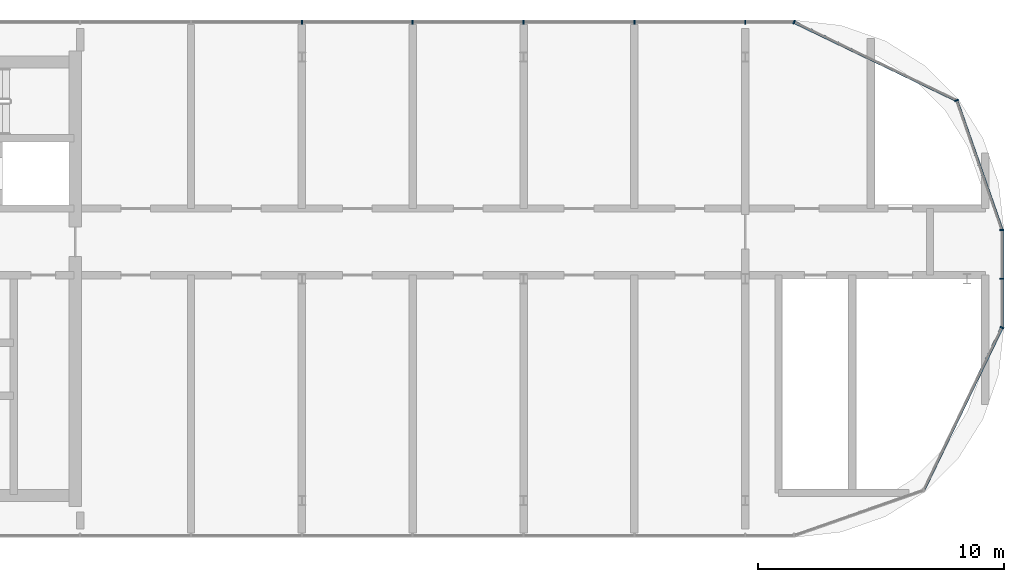
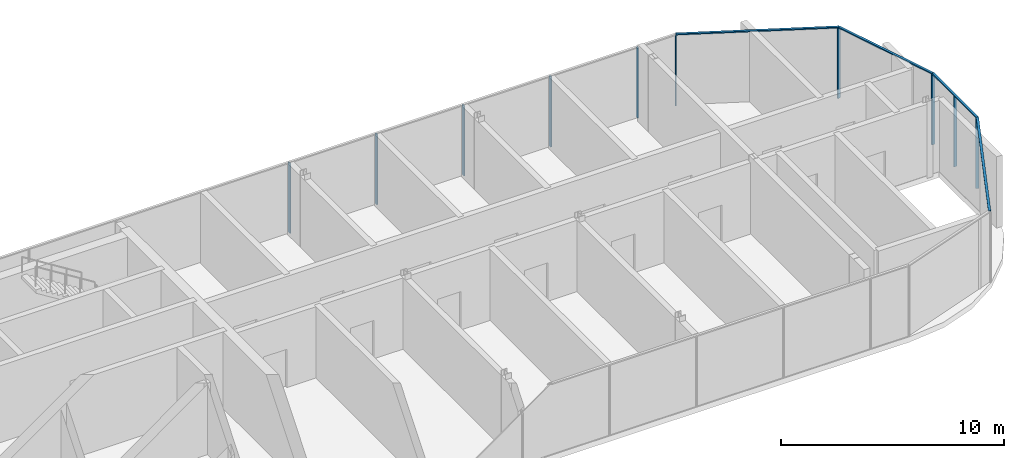
# One storey, part 9 of 14: 14 members, 5 elements without a shape of their own.
"""IFC4 building model written with IfcOpenShell, lengths in metres."""

from ifc_helpers import new_model, si_unit, direction, frame, origin, origin_2d, place, context, subcontext, project, spatial, rectangle, extrude, material, material_profile, profile_set, type_object, element, aggregate, save


model = new_model("IFC4")

# Units and contexts
model_context = context("Model", 3, precision=1e-05, world=origin(), true_north=direction((0.0, 1.0)))
body_context = subcontext(model_context, "Body", "Model", "MODEL_VIEW")
ifc_project = project(units=[si_unit("LENGTHUNIT", "METRE"), si_unit("AREAUNIT", "SQUARE_METRE"), si_unit("VOLUMEUNIT", "CUBIC_METRE"), si_unit("PLANEANGLEUNIT", "RADIAN"), si_unit("MASSUNIT", "GRAM", prefix="KILO")], contexts=[model_context])

# Site, building, storey
site_placement = place(None, origin())
site = spatial("IfcSite", under=ifc_project, at=site_placement, CompositionType="ELEMENT")
building_placement = place(site_placement, origin())
building = spatial("IfcBuilding", under=site, at=building_placement, Name="Ogive Portal Towers", CompositionType="ELEMENT")
storey_placement = place(building_placement, frame((0.0, 0.0, 277.10009765625)))
storey = spatial("IfcBuildingStorey", under=building, at=storey_placement, Name="L67", CompositionType="ELEMENT", Elevation=277.10009765625)

# Curtain wall, member
ifc_material_1 = material(Name="Glass, clear low-iron insulated glazing", Category="glass")
curtain_wall_type = type_object("IfcCurtainWallType", Name="CW CROWN GLAZING", PredefinedType="NOTDEFINED", material=ifc_material_1)
curtain_wall_1_placement = place(storey_placement, origin())
curtain_wall_1 = element("IfcCurtainWall", 1, at=curtain_wall_1_placement, inside=storey, type_object=curtain_wall_type, Name="A:L67:c08:cw", PredefinedType="NOTDEFINED")
ifc_material_2 = material(Name="Aluminium 6063 anodised", Category="aluminium")
ifc_material_profile_1 = material_profile(ifc_material_2, rectangle(XDim=0.159912109375, YDim=0.06005859375, at=origin_2d()), Name="AL 60x160")
ifc_profile_set_1 = profile_set([ifc_material_profile_1], Name="Aluminium 6063 anodised")
member_type_1 = type_object("IfcMemberType", Name="CW MULLION 60x160", PredefinedType="MULLION", material=ifc_profile_set_1)
member_1_placement = place(storey_placement, frame((95.919921875, 28.518310546875, 0.0), z_axis=(0.0, 0.0, 1.0), x_axis=(-0.900968867905, 0.433883739113, 0.0)))
member_1 = element("IfcMember", 2, at=member_1_placement, type_object=member_type_1, Name="mullion", PredefinedType="MULLION", context=body_context, shape_type="SweptSolid", body=[
    extrude(rectangle(XDim=0.159912109375, YDim=0.06005859375, at=origin_2d()), origin(), (0.0, 0.0, 1.0), 3.83984375),
])

# Curtain wall, members
curtain_wall_2_placement = place(storey_placement, origin())
curtain_wall_2 = element("IfcCurtainWall", 3, at=curtain_wall_2_placement, inside=storey, type_object=curtain_wall_type, Name="A:L67:c09:cw", PredefinedType="NOTDEFINED")
member_2_placement = place(storey_placement, frame((95.919921875, 30.5, 0.0), z_axis=(0.0, 0.0, 1.0), x_axis=(-1.0, 0.0, 0.0)))
member_2 = element("IfcMember", 4, at=member_2_placement, type_object=member_type_1, Name="mullion", PredefinedType="MULLION", context=body_context, shape_type="SweptSolid", body=[
    extrude(rectangle(XDim=0.159912109375, YDim=0.06005859375, at=origin_2d()), origin(), (0.0, 0.0, 1.0), 3.83984375),
])
member_3_placement = place(storey_placement, frame((95.919921875, 32.486328125, 0.0), z_axis=(0.0, 0.0, 1.0), x_axis=(-1.0, 0.0, 0.0)))
member_3 = element("IfcMember", 5, at=member_3_placement, type_object=member_type_1, Name="mullion", PredefinedType="MULLION", context=body_context, shape_type="SweptSolid", body=[
    extrude(rectangle(XDim=0.159912109375, YDim=0.06005859375, at=origin_2d()), origin(), (0.0, 0.0, 1.0), 3.83984375),
])

# Curtain wall, member
curtain_wall_3_placement = place(storey_placement, origin())
curtain_wall_3 = element("IfcCurtainWall", 6, at=curtain_wall_3_placement, inside=storey, type_object=curtain_wall_type, Name="A:L67:c10:cw", PredefinedType="NOTDEFINED")
member_4_placement = place(storey_placement, frame((94.0810546875, 37.741943359375, 0.0), z_axis=(0.0, 0.0, 1.0), x_axis=(-0.943883330307, -0.33027906196, 0.0)))
member_4 = element("IfcMember", 7, at=member_4_placement, type_object=member_type_1, Name="mullion", PredefinedType="MULLION", context=body_context, shape_type="SweptSolid", body=[
    extrude(rectangle(XDim=0.159912109375, YDim=0.06005859375, at=origin_2d()), origin(), (0.0, 0.0, 1.0), 3.83984375),
])

curtain_wall_4_placement = place(storey_placement, origin())
curtain_wall_4 = element("IfcCurtainWall", 8, at=curtain_wall_4_placement, inside=storey, type_object=curtain_wall_type, Name="A:L67:c11:cw", PredefinedType="NOTDEFINED")
member_5_placement = place(storey_placement, frame((87.481689453125, 40.919921875, 0.0), z_axis=(0.0, 0.0, 1.0), x_axis=(-0.433883739113, -0.900968867905, 0.0)))
member_5 = element("IfcMember", 9, at=member_5_placement, type_object=member_type_1, Name="mullion", PredefinedType="MULLION", context=body_context, shape_type="SweptSolid", body=[
    extrude(rectangle(XDim=0.159912109375, YDim=0.06005859375, at=origin_2d()), origin(), (0.0, 0.0, 1.0), 3.83984375),
])

# Curtain wall, members
curtain_wall_5_placement = place(storey_placement, origin())
curtain_wall_5 = element("IfcCurtainWall", 10, at=curtain_wall_5_placement, inside=storey, type_object=curtain_wall_type, Name="A:L67:c12:cw", PredefinedType="NOTDEFINED")
member_6_placement = place(storey_placement, frame((85.5, 40.919921875, 0.0), z_axis=(0.0, 0.0, 1.0), x_axis=(0.0, -1.0, 0.0)))
member_6 = element("IfcMember", 11, at=member_6_placement, type_object=member_type_1, Name="mullion", PredefinedType="MULLION", context=body_context, shape_type="SweptSolid", body=[
    extrude(rectangle(XDim=0.159912109375, YDim=0.06005859375, at=origin_2d()), origin(), (0.0, 0.0, 1.0), 3.83984375),
])
member_7_placement = place(storey_placement, frame((81.0, 40.919921875, 0.0), z_axis=(0.0, 0.0, 1.0), x_axis=(0.0, -1.0, 0.0)))
member_7 = element("IfcMember", 12, at=member_7_placement, type_object=member_type_1, Name="mullion", PredefinedType="MULLION", context=body_context, shape_type="SweptSolid", body=[
    extrude(rectangle(XDim=0.159912109375, YDim=0.06005859375, at=origin_2d()), origin(), (0.0, 0.0, 1.0), 3.83984375),
])
member_8_placement = place(storey_placement, frame((76.5, 40.919921875, 0.0), z_axis=(0.0, 0.0, 1.0), x_axis=(0.0, -1.0, 0.0)))
member_8 = element("IfcMember", 13, at=member_8_placement, type_object=member_type_1, Name="mullion", PredefinedType="MULLION", context=body_context, shape_type="SweptSolid", body=[
    extrude(rectangle(XDim=0.159912109375, YDim=0.06005859375, at=origin_2d()), origin(), (0.0, 0.0, 1.0), 3.83984375),
])
member_9_placement = place(storey_placement, frame((72.0, 40.919921875, 0.0), z_axis=(0.0, 0.0, 1.0), x_axis=(0.0, -1.0, 0.0)))
member_9 = element("IfcMember", 14, at=member_9_placement, type_object=member_type_1, Name="mullion", PredefinedType="MULLION", context=body_context, shape_type="SweptSolid", body=[
    extrude(rectangle(XDim=0.159912109375, YDim=0.06005859375, at=origin_2d()), origin(), (0.0, 0.0, 1.0), 3.83984375),
])
member_10_placement = place(storey_placement, frame((67.5, 40.919921875, 0.0), z_axis=(0.0, 0.0, 1.0), x_axis=(0.0, -1.0, 0.0)))
member_10 = element("IfcMember", 15, at=member_10_placement, type_object=member_type_1, Name="mullion", PredefinedType="MULLION", context=body_context, shape_type="SweptSolid", body=[
    extrude(rectangle(XDim=0.159912109375, YDim=0.06005859375, at=origin_2d()), origin(), (0.0, 0.0, 1.0), 3.83984375),
])
aggregate(curtain_wall_5, [member_6, member_7, member_8, member_9, member_10])

# Member
ifc_material_profile_2 = material_profile(ifc_material_2, rectangle(XDim=0.1201171875, YDim=0.06005859375, at=origin_2d()), Name="AL 120x60")
ifc_profile_set_2 = profile_set([ifc_material_profile_2], Name="Aluminium 6063 anodised")
member_type_2 = type_object("IfcMemberType", Name="CW TRANSOM 60x120", PredefinedType="USERDEFINED", material=ifc_profile_set_2)
member_11_placement = place(storey_placement, frame((92.741943359375, 21.9189453125, 3.869873046875), z_axis=(0.433871738997, 0.900974646757, 0.0), x_axis=(-0.900974646757, 0.433871738997, 0.0)))
member_11 = element("IfcMember", 16, at=member_11_placement, type_object=member_type_2, Name="transom", ObjectType="TRANSOM", PredefinedType="USERDEFINED", context=body_context, shape_type="SweptSolid", body=[
    extrude(rectangle(XDim=0.1201171875, YDim=0.06005859375, at=origin_2d()), origin(), (0.0, 0.0, 1.0), 7.32470703125),
])

aggregate(curtain_wall_1, [member_11, member_1])

member_12_placement = place(storey_placement, frame((95.919921875, 28.518310546875, 3.869873046875), z_axis=(0.0, 1.0, 0.0), x_axis=(-1.0, 0.0, 0.0)))
member_12 = element("IfcMember", 17, at=member_12_placement, type_object=member_type_2, Name="transom", ObjectType="TRANSOM", PredefinedType="USERDEFINED", context=body_context, shape_type="SweptSolid", body=[
    extrude(rectangle(XDim=0.1201171875, YDim=0.06005859375, at=origin_2d()), origin(), (0.0, 0.0, 1.0), 3.968017578125),
])

aggregate(curtain_wall_2, [member_12, member_2, member_3])

member_13_placement = place(storey_placement, frame((95.919921875, 32.486328125, 3.869873046875), z_axis=(-0.330254721593, 0.943891847017, 0.0), x_axis=(-0.943891847017, -0.330254721593, 0.0)))
member_13 = element("IfcMember", 18, at=member_13_placement, type_object=member_type_2, Name="transom", ObjectType="TRANSOM", PredefinedType="USERDEFINED", context=body_context, shape_type="SweptSolid", body=[
    extrude(rectangle(XDim=0.1201171875, YDim=0.06005859375, at=origin_2d()), origin(), (0.0, 0.0, 1.0), 5.568115234375),
])

aggregate(curtain_wall_3, [member_13, member_4])

member_14_placement = place(storey_placement, frame((94.0810546875, 37.741943359375, 3.869873046875), z_axis=(-0.900974646757, 0.433871738997, 0.0), x_axis=(-0.433871738997, -0.900974646757, 0.0)))
member_14 = element("IfcMember", 19, at=member_14_placement, type_object=member_type_2, Name="transom", ObjectType="TRANSOM", PredefinedType="USERDEFINED", context=body_context, shape_type="SweptSolid", body=[
    extrude(rectangle(XDim=0.1201171875, YDim=0.06005859375, at=origin_2d()), origin(), (0.0, 0.0, 1.0), 7.32470703125),
])

aggregate(curtain_wall_4, [member_14, member_5])

save(model, "model.ifc")
